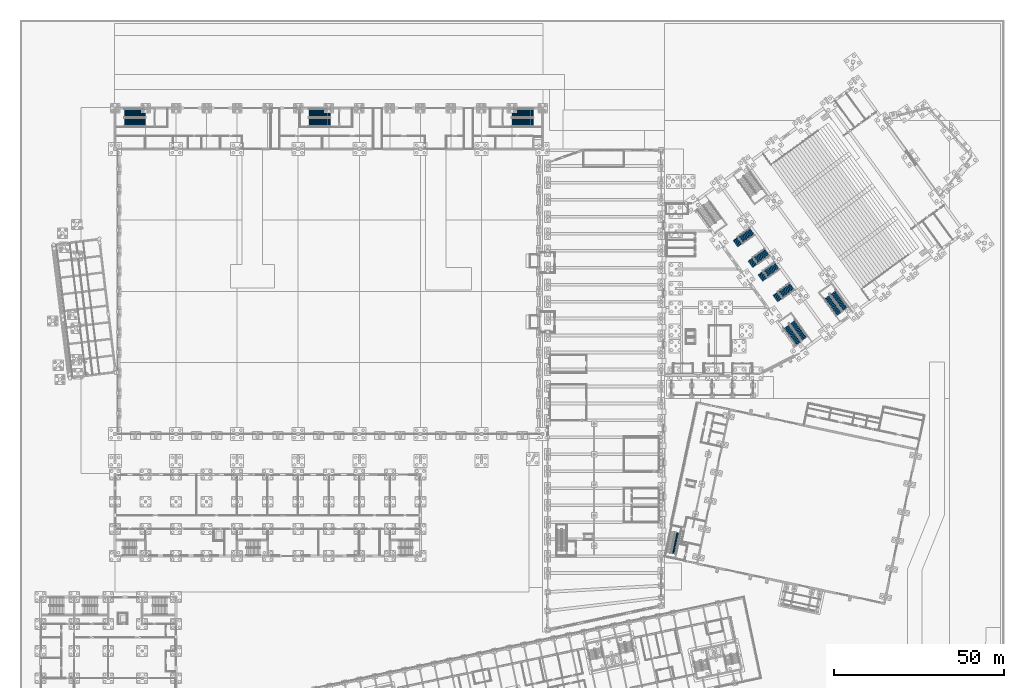
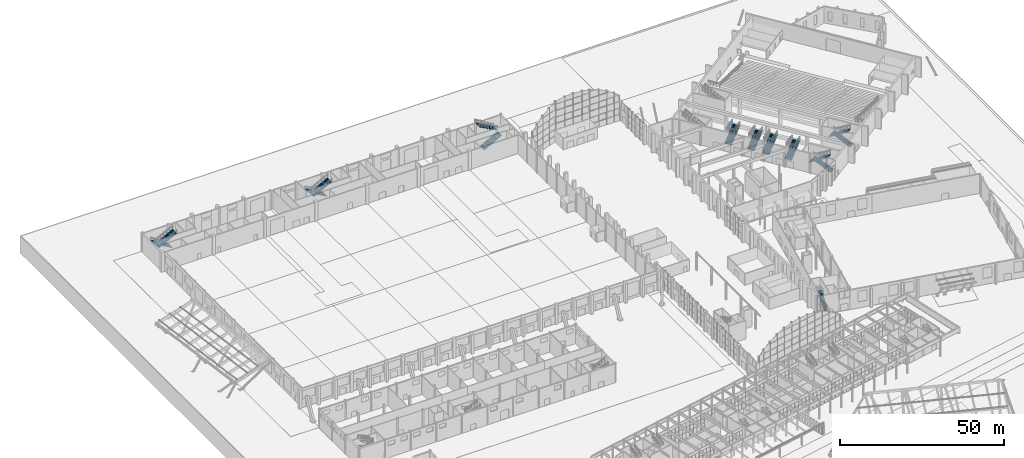
# One storey, part 193 of 239: 15 stair flights, 10 elements without a shape of their own.
"""IFC4 building model written with IfcOpenShell, lengths in metres."""

import ifcopenshell
import ifcopenshell.guid

model = None  # the IFC model being written
_history = None  # IfcOwnerHistory: only IFC2X3 demands one
_inside = {}  # id of a spatial element -> (the spatial element, [elements in it])
_under = {}  # id of a project, library or spatial element -> (it, [spatial elements below it])
_declared = {}  # id of a project -> (the project, [libraries it declares])
_typed = {}  # id of a type object -> (the type object, [elements of that type])
_made_of = {}  # id of a material, layer set ... -> (it, [elements and type objects made of it])


def new_model(schema):
    """Start an empty IFC model of exactly this schema.

    Asked for "IFC4X3", IfcOpenShell would pick the latest addendum, in which some entities
    have other attributes; the version numbers below select the first issue.
    IFC2X3 requires an IfcOwnerHistory on every rooted entity: one is made here for all.
    """
    global model, _history
    if schema == "IFC4X3":
        model = ifcopenshell.file(schema_version=(4, 3, 0, 0))
    else:
        model = ifcopenshell.file(schema=schema)
    _inside.clear()
    _under.clear()
    _declared.clear()
    _typed.clear()
    _made_of.clear()
    _history = None
    if model.schema == "IFC2X3":
        org = make("IfcOrganization", Name="unknown")
        user = make(
            "IfcPersonAndOrganization",
            ThePerson=make("IfcPerson", FamilyName="unknown"),
            TheOrganization=org,
        )
        app = make(
            "IfcApplication",
            ApplicationDeveloper=org,
            Version="unknown",
            ApplicationFullName="unknown",
            ApplicationIdentifier="unknown",
        )
        _history = make(
            "IfcOwnerHistory",
            OwningUser=user,
            OwningApplication=app,
            ChangeAction="ADDED",
            CreationDate=0,
        )
    return model


def make(cls, **values):
    """One entity of the class cls with the attributes given. An attribute that is None is left unset."""
    return model.create_entity(
        cls, **{name: value for name, value in values.items() if value is not None}
    )


def rooted(cls, **values):
    """An entity with a GlobalId (a new one), such as an element, a storey or a relation."""
    return make(cls, GlobalId=ifcopenshell.guid.new(), OwnerHistory=_history, **values)


def si_unit(unit_type, name, prefix=None):
    """IfcSIUnit, for example si_unit("LENGTHUNIT", "METRE", prefix="MILLI")."""
    return make("IfcSIUnit", UnitType=unit_type, Prefix=prefix, Name=name)


def assignment(units):
    """IfcUnitAssignment: the units of a project."""
    return None if units is None else make("IfcUnitAssignment", Units=units)


def point(xyz):
    """IfcCartesianPoint."""
    return None if xyz is None else make("IfcCartesianPoint", Coordinates=xyz)


def direction(xyz):
    """IfcDirection."""
    return None if xyz is None else make("IfcDirection", DirectionRatios=xyz)


def frame(location, z_axis=None, x_axis=None):
    """IfcAxis2Placement3D, a coordinate frame: its origin and axes. An axis left out is left unset."""
    return make(
        "IfcAxis2Placement3D",
        Location=point(location),
        Axis=direction(z_axis),
        RefDirection=direction(x_axis),
    )


def origin():
    """The frame at (0, 0, 0) with its axes left unset."""
    return frame((0.0, 0.0, 0.0))


def place(relative_to, where):
    """IfcLocalPlacement: puts the frame where relative to a parent placement (None: the world)."""
    return make(
        "IfcLocalPlacement", PlacementRelTo=relative_to, RelativePlacement=where
    )


def context(
    kind, dimensions, precision=None, world=None, true_north=None, identifier=None
):
    """IfcGeometricRepresentationContext, for example the 3D "Model" context."""
    return make(
        "IfcGeometricRepresentationContext",
        ContextIdentifier=identifier,
        ContextType=kind,
        CoordinateSpaceDimension=dimensions,
        Precision=precision,
        WorldCoordinateSystem=world,
        TrueNorth=true_north,
    )


def subcontext(parent, identifier, kind, view, scale=None):
    """IfcGeometricRepresentationSubContext, for example "Body" below "Model"."""
    return make(
        "IfcGeometricRepresentationSubContext",
        ContextIdentifier=identifier,
        ContextType=kind,
        ParentContext=parent,
        TargetScale=scale,
        TargetView=view,
    )


def project(units=None, contexts=None):
    """IfcProject with its units and contexts."""
    return rooted(
        "IfcProject",
        Name="project",
        RepresentationContexts=contexts,
        UnitsInContext=assignment(units),
    )


def spatial(cls, under=None, at=None, **own):
    """A site, building, storey or space (cls), placed at a placement, below another one or the project."""
    s = rooted(cls, ObjectPlacement=at, **own)
    if under is not None:
        _under.setdefault(under.id(), (under, []))[1].append(s)
    return s


def polyline(points):
    """IfcPolyline through the points."""
    return make("IfcPolyline", Points=[point(p) for p in points])


def outline(outer, holes=None, kind="AREA"):
    """IfcArbitraryClosedProfileDef: a profile drawn as a closed curve; with holes, ...WithVoids."""
    if holes is None:
        return make("IfcArbitraryClosedProfileDef", ProfileType=kind, OuterCurve=outer)
    return make(
        "IfcArbitraryProfileDefWithVoids",
        ProfileType=kind,
        OuterCurve=outer,
        InnerCurves=holes,
    )


def extrude(swept, where, along, depth):
    """IfcExtrudedAreaSolid: the profile swept, set in the frame where, extruded along a direction by depth."""
    return make(
        "IfcExtrudedAreaSolid",
        SweptArea=swept,
        Position=where,
        ExtrudedDirection=direction(along),
        Depth=depth,
    )


def shape(context_of_items, identifier, shape_type, items):
    """IfcShapeRepresentation: the items that make up one representation, for example the "Body"."""
    return make(
        "IfcShapeRepresentation",
        ContextOfItems=context_of_items,
        RepresentationIdentifier=identifier,
        RepresentationType=shape_type,
        Items=items,
    )


def material(Name=None, Category=None):
    """IfcMaterial."""
    return make("IfcMaterial", Name=Name, Category=Category)


def made_of(thing, what):
    """Note that an element or type object is made of a material, layer set ...; save() writes the relation."""
    if what is not None:
        _made_of.setdefault(what.id(), (what, []))[1].append(thing)
    return thing


def type_object(cls, material=None, **own):
    """A type object (cls), such as IfcWallType, which elements share."""
    return made_of(rooted(cls, **own), material)


def element(
    cls,
    number,
    at=None,
    inside=None,
    cuts=None,
    type_object=None,
    material=None,
    context=None,
    identifier="Body",
    shape_type=None,
    held_by="IfcProductDefinitionShape",
    body=None,
    shapes=None,
    **own,
):
    """One element of the class cls, such as IfcWall. Its Tag is "e" and its number.

    at: its placement. inside: the storey or other place that contains it. cuts: it is an
    opening in that element (IfcRelVoidsElement). A single representation is given by context,
    identifier, shape_type and body (its items); several are given by shapes. held_by: the class
    of the entity that holds the representations. save() writes the other relations.
    """
    e = rooted(cls, Tag="e%d" % number, ObjectPlacement=at, **own)
    if body is not None:
        shapes = [shape(context, identifier, shape_type, body)]
    if shapes is not None:
        e.Representation = make(held_by, Representations=shapes)
    if inside is not None:
        _inside.setdefault(inside.id(), (inside, []))[1].append(e)
    if cuts is not None:
        rooted(
            "IfcRelVoidsElement", RelatingBuildingElement=cuts, RelatedOpeningElement=e
        )
    if type_object is not None:
        _typed.setdefault(type_object.id(), (type_object, []))[1].append(e)
    return made_of(e, material)


def aggregate(whole, parts):
    """IfcRelAggregates: a whole, such as a stair, and the parts it consists of."""
    return rooted("IfcRelAggregates", RelatingObject=whole, RelatedObjects=parts)


def save(model, path):
    """Write the relations noted so far, then the file.

    IfcRelAggregates (storeys below a building ...), IfcRelContainedInSpatialStructure (elements
    in a storey), IfcRelDefinesByType, IfcRelAssociatesMaterial and IfcRelDeclares: one each for
    every whole, place, type object, material and project.
    """
    for whole, parts in _under.values():
        aggregate(whole, parts)
    for where, things in _inside.values():
        rooted(
            "IfcRelContainedInSpatialStructure",
            RelatedElements=things,
            RelatingStructure=where,
        )
    for kind, things in _typed.values():
        rooted("IfcRelDefinesByType", RelatedObjects=things, RelatingType=kind)
    for what, things in _made_of.values():
        rooted("IfcRelAssociatesMaterial", RelatedObjects=things, RelatingMaterial=what)
    for by, libraries in _declared.values():
        rooted("IfcRelDeclares", RelatingContext=by, RelatedDefinitions=libraries)
    model.write(path)


model = new_model("IFC4")

# Units and contexts
model_context = context("Model", 3, precision=1e-05, world=origin(), true_north=direction((0.0, 1.0)))
body_context = subcontext(model_context, "Body", "Model", "MODEL_VIEW")
ifc_project = project(units=[si_unit("LENGTHUNIT", "METRE"), si_unit("AREAUNIT", "SQUARE_METRE"), si_unit("VOLUMEUNIT", "CUBIC_METRE"), si_unit("PLANEANGLEUNIT", "RADIAN"), si_unit("MASSUNIT", "GRAM", prefix="KILO")], contexts=[model_context])

# Site, building, storey
site_placement = place(None, origin())
site = spatial("IfcSite", under=ifc_project, at=site_placement, CompositionType="ELEMENT")
building_placement = place(site_placement, origin())
building = spatial("IfcBuilding", under=site, at=building_placement, Name="Okhra Congress Centre", CompositionType="ELEMENT")
storey_placement = place(building_placement, origin())
storey = spatial("IfcBuildingStorey", under=building, at=storey_placement, Name="L00", CompositionType="ELEMENT", Elevation=0.0)

# Stair, stair flight
ifc_material = material(Name="Concrete C30/37", Category="concrete")
stair_type_1 = type_object("IfcStairType", Name="Escape stair 1350 wide, 44 risers of 163.6", PredefinedType="HALF_TURN_STAIR", material=ifc_material)
stair_1_placement = place(storey_placement, origin())
stair_1 = element("IfcStair", 1, at=stair_1_placement, inside=storey, type_object=stair_type_1, Name="L00 Gallery Stair", PredefinedType="HALF_TURN_STAIR")
stair_flight_type_1 = type_object("IfcStairFlightType", Name="Stair flight 1350 wide", PredefinedType="STRAIGHT", material=ifc_material)
stair_flight_1_placement = place(storey_placement, frame((192.582763671875, 96.727783203125, 0.0), z_axis=(0.0, 0.0, 1.0), x_axis=(0.207911690818, 0.978147600734, 0.0)))
stair_flight_1 = element("IfcStairFlight", 2, at=stair_flight_1_placement, type_object=stair_flight_type_1, Name="BG1 flight 1", NumberOfRisers=22, NumberOfTreads=21, PredefinedType="STRAIGHT", RiserHeight=0.163636364, TreadLength=0.3001, context=body_context, shape_type="SweptSolid", body=[
    extrude(outline(polyline([(0.0, 0.0), (0.0, 0.16357421875), (0.300048828125, 0.16357421875), (0.300048828125, 0.327392578125), (0.60009765625, 0.327392578125), (0.60009765625, 0.490966796875), (0.900390625, 0.490966796875), (0.900390625, 0.654541015625), (1.200439453125, 0.654541015625), (1.200439453125, 0.818115234375), (1.50048828125, 0.818115234375), (1.50048828125, 0.98193359375), (1.800537109375, 0.98193359375), (1.800537109375, 1.1455078125), (2.1005859375, 1.1455078125), (2.1005859375, 1.30908203125), (2.40087890625, 1.30908203125), (2.40087890625, 1.47265625), (2.700927734375, 1.47265625), (2.700927734375, 1.636474609375), (3.0009765625, 1.636474609375), (3.0009765625, 1.800048828125), (3.301025390625, 1.800048828125), (3.301025390625, 1.963623046875), (3.601318359375, 1.963623046875), (3.601318359375, 2.127197265625), (3.9013671875, 2.127197265625), (3.9013671875, 2.291015625), (4.201416015625, 2.291015625), (4.201416015625, 2.45458984375), (4.50146484375, 2.45458984375), (4.50146484375, 2.6181640625), (4.801513671875, 2.6181640625), (4.801513671875, 2.78173828125), (5.101806640625, 2.78173828125), (5.101806640625, 2.945556640625), (5.40185546875, 2.945556640625), (5.40185546875, 3.109130859375), (5.701904296875, 3.109130859375), (5.701904296875, 3.272705078125), (6.001953125, 3.272705078125), (6.001953125, 3.436279296875), (6.302001953125, 3.436279296875), (6.302001953125, 3.60009765625), (6.302001953125, 3.265625), (0.313232421875, 0.0), (0.0, 0.0)])), frame((0.0, 0.675048828125, 0.0), z_axis=(0.0, -1.0, 0.0), x_axis=(1.0, 0.0, 0.0)), (0.0, 0.0, 1.0), 1.35009765625),
])
aggregate(stair_1, [stair_flight_1])

# Stair, stair flights
stair_type_2 = type_object("IfcStairType", Name="Escape stair 2100 wide, 44 risers of 163.6", PredefinedType="HALF_TURN_STAIR", material=ifc_material)
stair_2_placement = place(storey_placement, origin())
stair_2 = element("IfcStair", 3, at=stair_2_placement, inside=storey, type_object=stair_type_2, Name="L00 Escape stair 1", PredefinedType="HALF_TURN_STAIR")
stair_flight_type_2 = type_object("IfcStairFlightType", Name="Stair flight 2100 wide", PredefinedType="STRAIGHT", material=ifc_material)
stair_flight_2_placement = place(storey_placement, frame((231.2607421875, 160.0673828125, 0.0), z_axis=(0.0, 0.0, 1.0), x_axis=(-0.587785252292, 0.809016994375, 0.0)))
stair_flight_2 = element("IfcStairFlight", 4, at=stair_flight_2_placement, type_object=stair_flight_type_2, Name="C1 flight 1", NumberOfRisers=22, NumberOfTreads=21, PredefinedType="STRAIGHT", RiserHeight=0.163636364, TreadLength=0.3, context=body_context, shape_type="SweptSolid", body=[
    extrude(outline(polyline([(0.0, 0.0), (0.0, 0.16357421875), (0.300048828125, 0.16357421875), (0.300048828125, 0.327392578125), (0.60009765625, 0.327392578125), (0.60009765625, 0.490966796875), (0.89990234375, 0.490966796875), (0.89990234375, 0.654541015625), (1.199951171875, 0.654541015625), (1.199951171875, 0.818115234375), (1.5, 0.818115234375), (1.5, 0.98193359375), (1.800048828125, 0.98193359375), (1.800048828125, 1.1455078125), (2.10009765625, 1.1455078125), (2.10009765625, 1.30908203125), (2.39990234375, 1.30908203125), (2.39990234375, 1.47265625), (2.699951171875, 1.47265625), (2.699951171875, 1.636474609375), (3.0, 1.636474609375), (3.0, 1.800048828125), (3.300048828125, 1.800048828125), (3.300048828125, 1.963623046875), (3.60009765625, 1.963623046875), (3.60009765625, 2.127197265625), (3.89990234375, 2.127197265625), (3.89990234375, 2.291015625), (4.199951171875, 2.291015625), (4.199951171875, 2.45458984375), (4.5, 2.45458984375), (4.5, 2.6181640625), (4.800048828125, 2.6181640625), (4.800048828125, 2.78173828125), (5.10009765625, 2.78173828125), (5.10009765625, 2.945556640625), (5.39990234375, 2.945556640625), (5.39990234375, 3.109130859375), (5.699951171875, 3.109130859375), (5.699951171875, 3.272705078125), (6.0, 3.272705078125), (6.0, 3.436279296875), (6.300048828125, 3.436279296875), (6.300048828125, 3.60009765625), (6.300048828125, 3.265625), (0.31298828125, 0.0), (0.0, 0.0)])), frame((0.0, 1.050048828125, 0.0), z_axis=(0.0, -1.0, 0.0), x_axis=(1.0, 0.0, 0.0)), (0.0, 0.0, 1.0), 2.10009765625),
])
stair_flight_3_placement = place(storey_placement, frame((225.796142578125, 163.7607421875, 3.60009765625), z_axis=(0.0, 0.0, 1.0), x_axis=(0.587785252292, -0.809016994375, 0.0)))
stair_flight_3 = element("IfcStairFlight", 5, at=stair_flight_3_placement, type_object=stair_flight_type_2, Name="C1 flight 2", NumberOfRisers=22, NumberOfTreads=21, PredefinedType="STRAIGHT", RiserHeight=0.163636364, TreadLength=0.3, context=body_context, shape_type="SweptSolid", body=[
    extrude(outline(polyline([(0.0, 0.0), (0.0, 0.16357421875), (0.300048828125, 0.16357421875), (0.300048828125, 0.327392578125), (0.60009765625, 0.327392578125), (0.60009765625, 0.490966796875), (0.89990234375, 0.490966796875), (0.89990234375, 0.654541015625), (1.199951171875, 0.654541015625), (1.199951171875, 0.818115234375), (1.5, 0.818115234375), (1.5, 0.98193359375), (1.800048828125, 0.98193359375), (1.800048828125, 1.1455078125), (2.10009765625, 1.1455078125), (2.10009765625, 1.30908203125), (2.39990234375, 1.30908203125), (2.39990234375, 1.47265625), (2.699951171875, 1.47265625), (2.699951171875, 1.636474609375), (3.0, 1.636474609375), (3.0, 1.800048828125), (3.300048828125, 1.800048828125), (3.300048828125, 1.963623046875), (3.60009765625, 1.963623046875), (3.60009765625, 2.127197265625), (3.89990234375, 2.127197265625), (3.89990234375, 2.291015625), (4.199951171875, 2.291015625), (4.199951171875, 2.45458984375), (4.5, 2.45458984375), (4.5, 2.6181640625), (4.800048828125, 2.6181640625), (4.800048828125, 2.78173828125), (5.10009765625, 2.78173828125), (5.10009765625, 2.945556640625), (5.39990234375, 2.945556640625), (5.39990234375, 3.109130859375), (5.699951171875, 3.109130859375), (5.699951171875, 3.272705078125), (6.0, 3.272705078125), (6.0, 3.436279296875), (6.300048828125, 3.436279296875), (6.300048828125, 3.60009765625), (6.300048828125, 3.265625), (0.31298828125, 0.0), (0.0, 0.0)])), frame((0.0, 1.050048828125, 0.0), z_axis=(0.0, -1.0, 0.0), x_axis=(1.0, 0.0, 0.0)), (0.0, 0.0, 1.0), 2.10009765625),
])
aggregate(stair_2, [stair_flight_2, stair_flight_3])

stair_3_placement = place(storey_placement, origin())
stair_3 = element("IfcStair", 6, at=stair_3_placement, inside=storey, type_object=stair_type_2, Name="L00 Escape stair 2", PredefinedType="HALF_TURN_STAIR")
stair_flight_4_placement = place(storey_placement, frame((243.234130859375, 168.7666015625, 0.0), z_axis=(0.0, 0.0, 1.0), x_axis=(-0.587785252292, 0.809016994375, 0.0)))
stair_flight_4 = element("IfcStairFlight", 7, at=stair_flight_4_placement, type_object=stair_flight_type_2, Name="C2 flight 1", NumberOfRisers=22, NumberOfTreads=21, PredefinedType="STRAIGHT", RiserHeight=0.163636364, TreadLength=0.3, context=body_context, shape_type="SweptSolid", body=[
    extrude(outline(polyline([(0.0, 0.0), (0.0, 0.16357421875), (0.300048828125, 0.16357421875), (0.300048828125, 0.327392578125), (0.60009765625, 0.327392578125), (0.60009765625, 0.490966796875), (0.89990234375, 0.490966796875), (0.89990234375, 0.654541015625), (1.199951171875, 0.654541015625), (1.199951171875, 0.818115234375), (1.5, 0.818115234375), (1.5, 0.98193359375), (1.800048828125, 0.98193359375), (1.800048828125, 1.1455078125), (2.10009765625, 1.1455078125), (2.10009765625, 1.30908203125), (2.39990234375, 1.30908203125), (2.39990234375, 1.47265625), (2.699951171875, 1.47265625), (2.699951171875, 1.636474609375), (3.0, 1.636474609375), (3.0, 1.800048828125), (3.300048828125, 1.800048828125), (3.300048828125, 1.963623046875), (3.60009765625, 1.963623046875), (3.60009765625, 2.127197265625), (3.89990234375, 2.127197265625), (3.89990234375, 2.291015625), (4.199951171875, 2.291015625), (4.199951171875, 2.45458984375), (4.5, 2.45458984375), (4.5, 2.6181640625), (4.800048828125, 2.6181640625), (4.800048828125, 2.78173828125), (5.10009765625, 2.78173828125), (5.10009765625, 2.945556640625), (5.39990234375, 2.945556640625), (5.39990234375, 3.109130859375), (5.699951171875, 3.109130859375), (5.699951171875, 3.272705078125), (6.0, 3.272705078125), (6.0, 3.436279296875), (6.300048828125, 3.436279296875), (6.300048828125, 3.60009765625), (6.300048828125, 3.265625), (0.31298828125, 0.0), (0.0, 0.0)])), frame((0.0, 1.050048828125, 0.0), z_axis=(0.0, -1.0, 0.0), x_axis=(1.0, 0.0, 0.0)), (0.0, 0.0, 1.0), 2.10009765625),
])
stair_flight_5_placement = place(storey_placement, frame((237.76953125, 172.4599609375, 3.60009765625), z_axis=(0.0, 0.0, 1.0), x_axis=(0.587785252292, -0.809016994375, 0.0)))
stair_flight_5 = element("IfcStairFlight", 8, at=stair_flight_5_placement, type_object=stair_flight_type_2, Name="C2 flight 2", NumberOfRisers=22, NumberOfTreads=21, PredefinedType="STRAIGHT", RiserHeight=0.163636364, TreadLength=0.3, context=body_context, shape_type="SweptSolid", body=[
    extrude(outline(polyline([(0.0, 0.0), (0.0, 0.16357421875), (0.300048828125, 0.16357421875), (0.300048828125, 0.327392578125), (0.60009765625, 0.327392578125), (0.60009765625, 0.490966796875), (0.89990234375, 0.490966796875), (0.89990234375, 0.654541015625), (1.199951171875, 0.654541015625), (1.199951171875, 0.818115234375), (1.5, 0.818115234375), (1.5, 0.98193359375), (1.800048828125, 0.98193359375), (1.800048828125, 1.1455078125), (2.10009765625, 1.1455078125), (2.10009765625, 1.30908203125), (2.39990234375, 1.30908203125), (2.39990234375, 1.47265625), (2.699951171875, 1.47265625), (2.699951171875, 1.636474609375), (3.0, 1.636474609375), (3.0, 1.800048828125), (3.300048828125, 1.800048828125), (3.300048828125, 1.963623046875), (3.60009765625, 1.963623046875), (3.60009765625, 2.127197265625), (3.89990234375, 2.127197265625), (3.89990234375, 2.291015625), (4.199951171875, 2.291015625), (4.199951171875, 2.45458984375), (4.5, 2.45458984375), (4.5, 2.6181640625), (4.800048828125, 2.6181640625), (4.800048828125, 2.78173828125), (5.10009765625, 2.78173828125), (5.10009765625, 2.945556640625), (5.39990234375, 2.945556640625), (5.39990234375, 3.109130859375), (5.699951171875, 3.109130859375), (5.699951171875, 3.272705078125), (6.0, 3.272705078125), (6.0, 3.436279296875), (6.300048828125, 3.436279296875), (6.300048828125, 3.60009765625), (6.300048828125, 3.265625), (0.31298828125, 0.0), (0.0, 0.0)])), frame((0.0, 1.050048828125, 0.0), z_axis=(0.0, -1.0, 0.0), x_axis=(1.0, 0.0, 0.0)), (0.0, 0.0, 1.0), 2.10009765625),
])
aggregate(stair_3, [stair_flight_4, stair_flight_5])

# Stair, stair flight
stair_type_3 = type_object("IfcStairType", Name="Entrance stair 2400 wide, 22 risers of 163.6", PredefinedType="STRAIGHT_RUN_STAIR", material=ifc_material)
stair_4_placement = place(storey_placement, origin())
stair_4 = element("IfcStair", 9, at=stair_4_placement, inside=storey, type_object=stair_type_3, Name="Entrance stair 1", PredefinedType="STRAIGHT_RUN_STAIR")
stair_flight_type_3 = type_object("IfcStairFlightType", Name="Stair flight 2400 wide", PredefinedType="STRAIGHT", material=ifc_material)
stair_flight_6_placement = place(storey_placement, frame((222.56884765625, 171.860595703125, 0.0), z_axis=(0.0, 0.0, 1.0), x_axis=(0.809016994375, 0.587785252292, 0.0)))
stair_flight_6 = element("IfcStairFlight", 10, at=stair_flight_6_placement, type_object=stair_flight_type_3, Name="ST2 flight 1", NumberOfRisers=22, NumberOfTreads=21, PredefinedType="STRAIGHT", RiserHeight=0.163636364, TreadLength=0.3, context=body_context, shape_type="SweptSolid", body=[
    extrude(outline(polyline([(0.0, 0.0), (0.0, 0.16357421875), (0.300048828125, 0.16357421875), (0.300048828125, 0.327392578125), (0.60009765625, 0.327392578125), (0.60009765625, 0.490966796875), (0.89990234375, 0.490966796875), (0.89990234375, 0.654541015625), (1.199951171875, 0.654541015625), (1.199951171875, 0.818115234375), (1.5, 0.818115234375), (1.5, 0.98193359375), (1.800048828125, 0.98193359375), (1.800048828125, 1.1455078125), (2.10009765625, 1.1455078125), (2.10009765625, 1.30908203125), (2.39990234375, 1.30908203125), (2.39990234375, 1.47265625), (2.699951171875, 1.47265625), (2.699951171875, 1.636474609375), (3.0, 1.636474609375), (3.0, 1.800048828125), (3.300048828125, 1.800048828125), (3.300048828125, 1.963623046875), (3.60009765625, 1.963623046875), (3.60009765625, 2.127197265625), (3.89990234375, 2.127197265625), (3.89990234375, 2.291015625), (4.199951171875, 2.291015625), (4.199951171875, 2.45458984375), (4.5, 2.45458984375), (4.5, 2.6181640625), (4.800048828125, 2.6181640625), (4.800048828125, 2.78173828125), (5.10009765625, 2.78173828125), (5.10009765625, 2.945556640625), (5.39990234375, 2.945556640625), (5.39990234375, 3.109130859375), (5.699951171875, 3.109130859375), (5.699951171875, 3.272705078125), (6.0, 3.272705078125), (6.0, 3.436279296875), (6.300048828125, 3.436279296875), (6.300048828125, 3.60009765625), (6.300048828125, 3.265625), (0.31298828125, 0.0), (0.0, 0.0)])), frame((0.0, 1.199951171875, 0.0), z_axis=(0.0, -1.0, 0.0), x_axis=(1.0, 0.0, 0.0)), (0.0, 0.0, 1.0), 2.39990234375),
])
aggregate(stair_4, [stair_flight_6])

stair_5_placement = place(storey_placement, origin())
stair_5 = element("IfcStair", 11, at=stair_5_placement, inside=storey, type_object=stair_type_3, Name="Entrance stair 2", PredefinedType="STRAIGHT_RUN_STAIR")
stair_flight_7_placement = place(storey_placement, frame((218.160400390625, 177.92822265625, 0.0), z_axis=(0.0, 0.0, 1.0), x_axis=(0.809016994375, 0.587785252292, 0.0)))
stair_flight_7 = element("IfcStairFlight", 12, at=stair_flight_7_placement, type_object=stair_flight_type_3, Name="ST2 flight 1", NumberOfRisers=22, NumberOfTreads=21, PredefinedType="STRAIGHT", RiserHeight=0.163636364, TreadLength=0.3, context=body_context, shape_type="SweptSolid", body=[
    extrude(outline(polyline([(0.0, 0.0), (0.0, 0.16357421875), (0.300048828125, 0.16357421875), (0.300048828125, 0.327392578125), (0.60009765625, 0.327392578125), (0.60009765625, 0.490966796875), (0.89990234375, 0.490966796875), (0.89990234375, 0.654541015625), (1.199951171875, 0.654541015625), (1.199951171875, 0.818115234375), (1.5, 0.818115234375), (1.5, 0.98193359375), (1.800048828125, 0.98193359375), (1.800048828125, 1.1455078125), (2.10009765625, 1.1455078125), (2.10009765625, 1.30908203125), (2.39990234375, 1.30908203125), (2.39990234375, 1.47265625), (2.699951171875, 1.47265625), (2.699951171875, 1.636474609375), (3.0, 1.636474609375), (3.0, 1.800048828125), (3.300048828125, 1.800048828125), (3.300048828125, 1.963623046875), (3.60009765625, 1.963623046875), (3.60009765625, 2.127197265625), (3.89990234375, 2.127197265625), (3.89990234375, 2.291015625), (4.199951171875, 2.291015625), (4.199951171875, 2.45458984375), (4.5, 2.45458984375), (4.5, 2.6181640625), (4.800048828125, 2.6181640625), (4.800048828125, 2.78173828125), (5.10009765625, 2.78173828125), (5.10009765625, 2.945556640625), (5.39990234375, 2.945556640625), (5.39990234375, 3.109130859375), (5.699951171875, 3.109130859375), (5.699951171875, 3.272705078125), (6.0, 3.272705078125), (6.0, 3.436279296875), (6.300048828125, 3.436279296875), (6.300048828125, 3.60009765625), (6.300048828125, 3.265625), (0.31298828125, 0.0), (0.0, 0.0)])), frame((0.0, 1.199951171875, 0.0), z_axis=(0.0, -1.0, 0.0), x_axis=(1.0, 0.0, 0.0)), (0.0, 0.0, 1.0), 2.39990234375),
])
aggregate(stair_5, [stair_flight_7])

stair_6_placement = place(storey_placement, origin())
stair_6 = element("IfcStair", 13, at=stair_6_placement, inside=storey, type_object=stair_type_3, Name="Entrance stair 3", PredefinedType="STRAIGHT_RUN_STAIR")
stair_flight_8_placement = place(storey_placement, frame((215.221435546875, 181.973388671875, 0.0), z_axis=(0.0, 0.0, 1.0), x_axis=(0.809016994375, 0.587785252292, 0.0)))
stair_flight_8 = element("IfcStairFlight", 14, at=stair_flight_8_placement, type_object=stair_flight_type_3, Name="ST2 flight 1", NumberOfRisers=22, NumberOfTreads=21, PredefinedType="STRAIGHT", RiserHeight=0.163636364, TreadLength=0.3, context=body_context, shape_type="SweptSolid", body=[
    extrude(outline(polyline([(0.0, 0.0), (0.0, 0.16357421875), (0.300048828125, 0.16357421875), (0.300048828125, 0.327392578125), (0.60009765625, 0.327392578125), (0.60009765625, 0.490966796875), (0.89990234375, 0.490966796875), (0.89990234375, 0.654541015625), (1.199951171875, 0.654541015625), (1.199951171875, 0.818115234375), (1.5, 0.818115234375), (1.5, 0.98193359375), (1.800048828125, 0.98193359375), (1.800048828125, 1.1455078125), (2.10009765625, 1.1455078125), (2.10009765625, 1.30908203125), (2.39990234375, 1.30908203125), (2.39990234375, 1.47265625), (2.699951171875, 1.47265625), (2.699951171875, 1.636474609375), (3.0, 1.636474609375), (3.0, 1.800048828125), (3.300048828125, 1.800048828125), (3.300048828125, 1.963623046875), (3.60009765625, 1.963623046875), (3.60009765625, 2.127197265625), (3.89990234375, 2.127197265625), (3.89990234375, 2.291015625), (4.199951171875, 2.291015625), (4.199951171875, 2.45458984375), (4.5, 2.45458984375), (4.5, 2.6181640625), (4.800048828125, 2.6181640625), (4.800048828125, 2.78173828125), (5.10009765625, 2.78173828125), (5.10009765625, 2.945556640625), (5.39990234375, 2.945556640625), (5.39990234375, 3.109130859375), (5.699951171875, 3.109130859375), (5.699951171875, 3.272705078125), (6.0, 3.272705078125), (6.0, 3.436279296875), (6.300048828125, 3.436279296875), (6.300048828125, 3.60009765625), (6.300048828125, 3.265625), (0.31298828125, 0.0), (0.0, 0.0)])), frame((0.0, 1.199951171875, 0.0), z_axis=(0.0, -1.0, 0.0), x_axis=(1.0, 0.0, 0.0)), (0.0, 0.0, 1.0), 2.39990234375),
])
aggregate(stair_6, [stair_flight_8])

stair_7_placement = place(storey_placement, origin())
stair_7 = element("IfcStair", 15, at=stair_7_placement, inside=storey, type_object=stair_type_3, Name="Entrance stair 4", PredefinedType="STRAIGHT_RUN_STAIR")
stair_flight_9_placement = place(storey_placement, frame((210.81298828125, 188.041015625, 0.0), z_axis=(0.0, 0.0, 1.0), x_axis=(0.809016994375, 0.587785252292, 0.0)))
stair_flight_9 = element("IfcStairFlight", 16, at=stair_flight_9_placement, type_object=stair_flight_type_3, Name="ST2 flight 1", NumberOfRisers=22, NumberOfTreads=21, PredefinedType="STRAIGHT", RiserHeight=0.163636364, TreadLength=0.3, context=body_context, shape_type="SweptSolid", body=[
    extrude(outline(polyline([(0.0, 0.0), (0.0, 0.16357421875), (0.300048828125, 0.16357421875), (0.300048828125, 0.327392578125), (0.60009765625, 0.327392578125), (0.60009765625, 0.490966796875), (0.89990234375, 0.490966796875), (0.89990234375, 0.654541015625), (1.199951171875, 0.654541015625), (1.199951171875, 0.818115234375), (1.5, 0.818115234375), (1.5, 0.98193359375), (1.800048828125, 0.98193359375), (1.800048828125, 1.1455078125), (2.10009765625, 1.1455078125), (2.10009765625, 1.30908203125), (2.39990234375, 1.30908203125), (2.39990234375, 1.47265625), (2.699951171875, 1.47265625), (2.699951171875, 1.636474609375), (3.0, 1.636474609375), (3.0, 1.800048828125), (3.300048828125, 1.800048828125), (3.300048828125, 1.963623046875), (3.60009765625, 1.963623046875), (3.60009765625, 2.127197265625), (3.89990234375, 2.127197265625), (3.89990234375, 2.291015625), (4.199951171875, 2.291015625), (4.199951171875, 2.45458984375), (4.5, 2.45458984375), (4.5, 2.6181640625), (4.800048828125, 2.6181640625), (4.800048828125, 2.78173828125), (5.10009765625, 2.78173828125), (5.10009765625, 2.945556640625), (5.39990234375, 2.945556640625), (5.39990234375, 3.109130859375), (5.699951171875, 3.109130859375), (5.699951171875, 3.272705078125), (6.0, 3.272705078125), (6.0, 3.436279296875), (6.300048828125, 3.436279296875), (6.300048828125, 3.60009765625), (6.300048828125, 3.265625), (0.31298828125, 0.0), (0.0, 0.0)])), frame((0.0, 1.199951171875, 0.0), z_axis=(0.0, -1.0, 0.0), x_axis=(1.0, 0.0, 0.0)), (0.0, 0.0, 1.0), 2.39990234375),
])
aggregate(stair_7, [stair_flight_9])

# Stair, stair flights
stair_type_4 = type_object("IfcStairType", Name="Escape stair 2550 wide, 44 risers of 163.6", PredefinedType="HALF_TURN_STAIR", material=ifc_material)
stair_8_placement = place(storey_placement, origin())
stair_8 = element("IfcStair", 17, at=stair_8_placement, inside=storey, type_object=stair_type_4, Name="L00 Escape Stair 1", PredefinedType="HALF_TURN_STAIR")
stair_flight_type_4 = type_object("IfcStairFlightType", Name="Stair flight 2550 wide", PredefinedType="STRAIGHT", material=ifc_material)
stair_flight_10_placement = place(storey_placement, frame((37.02490234375, 226.550048828125, 0.0), z_axis=(0.0, 0.0, 1.0), x_axis=(-1.0, 0.0, 0.0)))
stair_flight_10 = element("IfcStairFlight", 18, at=stair_flight_10_placement, type_object=stair_flight_type_4, Name="ES1 flight 1", NumberOfRisers=22, NumberOfTreads=21, PredefinedType="STRAIGHT", RiserHeight=0.163636364, TreadLength=0.3, context=body_context, shape_type="SweptSolid", body=[
    extrude(outline(polyline([(0.0, 0.0), (0.0, 0.16357421875), (0.300048828125, 0.16357421875), (0.300048828125, 0.327392578125), (0.60009765625, 0.327392578125), (0.60009765625, 0.490966796875), (0.89990234375, 0.490966796875), (0.89990234375, 0.654541015625), (1.199951171875, 0.654541015625), (1.199951171875, 0.818115234375), (1.5, 0.818115234375), (1.5, 0.98193359375), (1.800048828125, 0.98193359375), (1.800048828125, 1.1455078125), (2.10009765625, 1.1455078125), (2.10009765625, 1.30908203125), (2.39990234375, 1.30908203125), (2.39990234375, 1.47265625), (2.699951171875, 1.47265625), (2.699951171875, 1.636474609375), (3.0, 1.636474609375), (3.0, 1.800048828125), (3.300048828125, 1.800048828125), (3.300048828125, 1.963623046875), (3.60009765625, 1.963623046875), (3.60009765625, 2.127197265625), (3.89990234375, 2.127197265625), (3.89990234375, 2.291015625), (4.199951171875, 2.291015625), (4.199951171875, 2.45458984375), (4.5, 2.45458984375), (4.5, 2.6181640625), (4.800048828125, 2.6181640625), (4.800048828125, 2.78173828125), (5.10009765625, 2.78173828125), (5.10009765625, 2.945556640625), (5.39990234375, 2.945556640625), (5.39990234375, 3.109130859375), (5.699951171875, 3.109130859375), (5.699951171875, 3.272705078125), (6.0, 3.272705078125), (6.0, 3.436279296875), (6.300048828125, 3.436279296875), (6.300048828125, 3.60009765625), (6.300048828125, 3.265625), (0.31298828125, 0.0), (0.0, 0.0)])), frame((0.0, 1.27490234375, 0.0), z_axis=(0.0, -1.0, 0.0), x_axis=(1.0, 0.0, 0.0)), (0.0, 0.0, 1.0), 2.550048828125),
])
stair_flight_11_placement = place(storey_placement, frame((30.72509765625, 223.85009765625, 3.60009765625), z_axis=(0.0, 0.0, 1.0), x_axis=(1.0, 0.0, 0.0)))
stair_flight_11 = element("IfcStairFlight", 19, at=stair_flight_11_placement, type_object=stair_flight_type_4, Name="ES1 flight 2", NumberOfRisers=22, NumberOfTreads=21, PredefinedType="STRAIGHT", RiserHeight=0.163636364, TreadLength=0.3, context=body_context, shape_type="SweptSolid", body=[
    extrude(outline(polyline([(0.0, 0.0), (0.0, 0.16357421875), (0.300048828125, 0.16357421875), (0.300048828125, 0.327392578125), (0.60009765625, 0.327392578125), (0.60009765625, 0.490966796875), (0.89990234375, 0.490966796875), (0.89990234375, 0.654541015625), (1.199951171875, 0.654541015625), (1.199951171875, 0.818115234375), (1.5, 0.818115234375), (1.5, 0.98193359375), (1.800048828125, 0.98193359375), (1.800048828125, 1.1455078125), (2.10009765625, 1.1455078125), (2.10009765625, 1.30908203125), (2.39990234375, 1.30908203125), (2.39990234375, 1.47265625), (2.699951171875, 1.47265625), (2.699951171875, 1.636474609375), (3.0, 1.636474609375), (3.0, 1.800048828125), (3.300048828125, 1.800048828125), (3.300048828125, 1.963623046875), (3.60009765625, 1.963623046875), (3.60009765625, 2.127197265625), (3.89990234375, 2.127197265625), (3.89990234375, 2.291015625), (4.199951171875, 2.291015625), (4.199951171875, 2.45458984375), (4.5, 2.45458984375), (4.5, 2.6181640625), (4.800048828125, 2.6181640625), (4.800048828125, 2.78173828125), (5.10009765625, 2.78173828125), (5.10009765625, 2.945556640625), (5.39990234375, 2.945556640625), (5.39990234375, 3.109130859375), (5.699951171875, 3.109130859375), (5.699951171875, 3.272705078125), (6.0, 3.272705078125), (6.0, 3.436279296875), (6.300048828125, 3.436279296875), (6.300048828125, 3.60009765625), (6.300048828125, 3.265625), (0.31298828125, 0.0), (0.0, 0.0)])), frame((0.0, 1.27490234375, 0.0), z_axis=(0.0, -1.0, 0.0), x_axis=(1.0, 0.0, 0.0)), (0.0, 0.0, 1.0), 2.550048828125),
])
aggregate(stair_8, [stair_flight_10, stair_flight_11])

stair_9_placement = place(storey_placement, origin())
stair_9 = element("IfcStair", 20, at=stair_9_placement, inside=storey, type_object=stair_type_4, Name="L00 Escape Stair 2", PredefinedType="HALF_TURN_STAIR")
stair_flight_12_placement = place(storey_placement, frame((91.449951171875, 226.550048828125, 0.0), z_axis=(0.0, 0.0, 1.0), x_axis=(-1.0, 0.0, 0.0)))
stair_flight_12 = element("IfcStairFlight", 21, at=stair_flight_12_placement, type_object=stair_flight_type_4, Name="ES2 flight 1", NumberOfRisers=22, NumberOfTreads=21, PredefinedType="STRAIGHT", RiserHeight=0.163636364, TreadLength=0.3, context=body_context, shape_type="SweptSolid", body=[
    extrude(outline(polyline([(0.0, 0.0), (0.0, 0.16357421875), (0.300048828125, 0.16357421875), (0.300048828125, 0.327392578125), (0.60009765625, 0.327392578125), (0.60009765625, 0.490966796875), (0.89990234375, 0.490966796875), (0.89990234375, 0.654541015625), (1.199951171875, 0.654541015625), (1.199951171875, 0.818115234375), (1.5, 0.818115234375), (1.5, 0.98193359375), (1.800048828125, 0.98193359375), (1.800048828125, 1.1455078125), (2.10009765625, 1.1455078125), (2.10009765625, 1.30908203125), (2.39990234375, 1.30908203125), (2.39990234375, 1.47265625), (2.699951171875, 1.47265625), (2.699951171875, 1.636474609375), (3.0, 1.636474609375), (3.0, 1.800048828125), (3.300048828125, 1.800048828125), (3.300048828125, 1.963623046875), (3.60009765625, 1.963623046875), (3.60009765625, 2.127197265625), (3.89990234375, 2.127197265625), (3.89990234375, 2.291015625), (4.199951171875, 2.291015625), (4.199951171875, 2.45458984375), (4.5, 2.45458984375), (4.5, 2.6181640625), (4.800048828125, 2.6181640625), (4.800048828125, 2.78173828125), (5.10009765625, 2.78173828125), (5.10009765625, 2.945556640625), (5.39990234375, 2.945556640625), (5.39990234375, 3.109130859375), (5.699951171875, 3.109130859375), (5.699951171875, 3.272705078125), (6.0, 3.272705078125), (6.0, 3.436279296875), (6.300048828125, 3.436279296875), (6.300048828125, 3.60009765625), (6.300048828125, 3.265625), (0.31298828125, 0.0), (0.0, 0.0)])), frame((0.0, 1.27490234375, 0.0), z_axis=(0.0, -1.0, 0.0), x_axis=(1.0, 0.0, 0.0)), (0.0, 0.0, 1.0), 2.550048828125),
])
stair_flight_13_placement = place(storey_placement, frame((85.14990234375, 223.85009765625, 3.60009765625), z_axis=(0.0, 0.0, 1.0), x_axis=(1.0, 0.0, 0.0)))
stair_flight_13 = element("IfcStairFlight", 22, at=stair_flight_13_placement, type_object=stair_flight_type_4, Name="ES2 flight 2", NumberOfRisers=22, NumberOfTreads=21, PredefinedType="STRAIGHT", RiserHeight=0.163636364, TreadLength=0.3, context=body_context, shape_type="SweptSolid", body=[
    extrude(outline(polyline([(0.0, 0.0), (0.0, 0.16357421875), (0.300048828125, 0.16357421875), (0.300048828125, 0.327392578125), (0.60009765625, 0.327392578125), (0.60009765625, 0.490966796875), (0.89990234375, 0.490966796875), (0.89990234375, 0.654541015625), (1.199951171875, 0.654541015625), (1.199951171875, 0.818115234375), (1.5, 0.818115234375), (1.5, 0.98193359375), (1.800048828125, 0.98193359375), (1.800048828125, 1.1455078125), (2.10009765625, 1.1455078125), (2.10009765625, 1.30908203125), (2.39990234375, 1.30908203125), (2.39990234375, 1.47265625), (2.699951171875, 1.47265625), (2.699951171875, 1.636474609375), (3.0, 1.636474609375), (3.0, 1.800048828125), (3.300048828125, 1.800048828125), (3.300048828125, 1.963623046875), (3.60009765625, 1.963623046875), (3.60009765625, 2.127197265625), (3.89990234375, 2.127197265625), (3.89990234375, 2.291015625), (4.199951171875, 2.291015625), (4.199951171875, 2.45458984375), (4.5, 2.45458984375), (4.5, 2.6181640625), (4.800048828125, 2.6181640625), (4.800048828125, 2.78173828125), (5.10009765625, 2.78173828125), (5.10009765625, 2.945556640625), (5.39990234375, 2.945556640625), (5.39990234375, 3.109130859375), (5.699951171875, 3.109130859375), (5.699951171875, 3.272705078125), (6.0, 3.272705078125), (6.0, 3.436279296875), (6.300048828125, 3.436279296875), (6.300048828125, 3.60009765625), (6.300048828125, 3.265625), (0.31298828125, 0.0), (0.0, 0.0)])), frame((0.0, 1.27490234375, 0.0), z_axis=(0.0, -1.0, 0.0), x_axis=(1.0, 0.0, 0.0)), (0.0, 0.0, 1.0), 2.550048828125),
])
aggregate(stair_9, [stair_flight_12, stair_flight_13])

stair_10_placement = place(storey_placement, origin())
stair_10 = element("IfcStair", 23, at=stair_10_placement, inside=storey, type_object=stair_type_4, Name="L00 Escape Stair 3", PredefinedType="HALF_TURN_STAIR")
stair_flight_14_placement = place(storey_placement, frame((144.97509765625, 223.85009765625, 0.0), z_axis=(0.0, 0.0, 1.0), x_axis=(1.0, 0.0, 0.0)))
stair_flight_14 = element("IfcStairFlight", 24, at=stair_flight_14_placement, type_object=stair_flight_type_4, Name="ES3 flight 1", NumberOfRisers=22, NumberOfTreads=21, PredefinedType="STRAIGHT", RiserHeight=0.163636364, TreadLength=0.3, context=body_context, shape_type="SweptSolid", body=[
    extrude(outline(polyline([(0.0, 0.0), (0.0, 0.16357421875), (0.300048828125, 0.16357421875), (0.300048828125, 0.327392578125), (0.60009765625, 0.327392578125), (0.60009765625, 0.490966796875), (0.89990234375, 0.490966796875), (0.89990234375, 0.654541015625), (1.199951171875, 0.654541015625), (1.199951171875, 0.818115234375), (1.5, 0.818115234375), (1.5, 0.98193359375), (1.800048828125, 0.98193359375), (1.800048828125, 1.1455078125), (2.10009765625, 1.1455078125), (2.10009765625, 1.30908203125), (2.39990234375, 1.30908203125), (2.39990234375, 1.47265625), (2.699951171875, 1.47265625), (2.699951171875, 1.636474609375), (3.0, 1.636474609375), (3.0, 1.800048828125), (3.300048828125, 1.800048828125), (3.300048828125, 1.963623046875), (3.60009765625, 1.963623046875), (3.60009765625, 2.127197265625), (3.89990234375, 2.127197265625), (3.89990234375, 2.291015625), (4.199951171875, 2.291015625), (4.199951171875, 2.45458984375), (4.5, 2.45458984375), (4.5, 2.6181640625), (4.800048828125, 2.6181640625), (4.800048828125, 2.78173828125), (5.10009765625, 2.78173828125), (5.10009765625, 2.945556640625), (5.39990234375, 2.945556640625), (5.39990234375, 3.109130859375), (5.699951171875, 3.109130859375), (5.699951171875, 3.272705078125), (6.0, 3.272705078125), (6.0, 3.436279296875), (6.300048828125, 3.436279296875), (6.300048828125, 3.60009765625), (6.300048828125, 3.265625), (0.31298828125, 0.0), (0.0, 0.0)])), frame((0.0, 1.27490234375, 0.0), z_axis=(0.0, -1.0, 0.0), x_axis=(1.0, 0.0, 0.0)), (0.0, 0.0, 1.0), 2.550048828125),
])
stair_flight_15_placement = place(storey_placement, frame((151.27490234375, 226.550048828125, 3.60009765625), z_axis=(0.0, 0.0, 1.0), x_axis=(-1.0, 0.0, 0.0)))
stair_flight_15 = element("IfcStairFlight", 25, at=stair_flight_15_placement, type_object=stair_flight_type_4, Name="ES3 flight 2", NumberOfRisers=22, NumberOfTreads=21, PredefinedType="STRAIGHT", RiserHeight=0.163636364, TreadLength=0.3, context=body_context, shape_type="SweptSolid", body=[
    extrude(outline(polyline([(0.0, 0.0), (0.0, 0.16357421875), (0.300048828125, 0.16357421875), (0.300048828125, 0.327392578125), (0.60009765625, 0.327392578125), (0.60009765625, 0.490966796875), (0.89990234375, 0.490966796875), (0.89990234375, 0.654541015625), (1.199951171875, 0.654541015625), (1.199951171875, 0.818115234375), (1.5, 0.818115234375), (1.5, 0.98193359375), (1.800048828125, 0.98193359375), (1.800048828125, 1.1455078125), (2.10009765625, 1.1455078125), (2.10009765625, 1.30908203125), (2.39990234375, 1.30908203125), (2.39990234375, 1.47265625), (2.699951171875, 1.47265625), (2.699951171875, 1.636474609375), (3.0, 1.636474609375), (3.0, 1.800048828125), (3.300048828125, 1.800048828125), (3.300048828125, 1.963623046875), (3.60009765625, 1.963623046875), (3.60009765625, 2.127197265625), (3.89990234375, 2.127197265625), (3.89990234375, 2.291015625), (4.199951171875, 2.291015625), (4.199951171875, 2.45458984375), (4.5, 2.45458984375), (4.5, 2.6181640625), (4.800048828125, 2.6181640625), (4.800048828125, 2.78173828125), (5.10009765625, 2.78173828125), (5.10009765625, 2.945556640625), (5.39990234375, 2.945556640625), (5.39990234375, 3.109130859375), (5.699951171875, 3.109130859375), (5.699951171875, 3.272705078125), (6.0, 3.272705078125), (6.0, 3.436279296875), (6.300048828125, 3.436279296875), (6.300048828125, 3.60009765625), (6.300048828125, 3.265625), (0.31298828125, 0.0), (0.0, 0.0)])), frame((0.0, 1.27490234375, 0.0), z_axis=(0.0, -1.0, 0.0), x_axis=(1.0, 0.0, 0.0)), (0.0, 0.0, 1.0), 2.550048828125),
])
aggregate(stair_10, [stair_flight_14, stair_flight_15])

save(model, "model.ifc")
